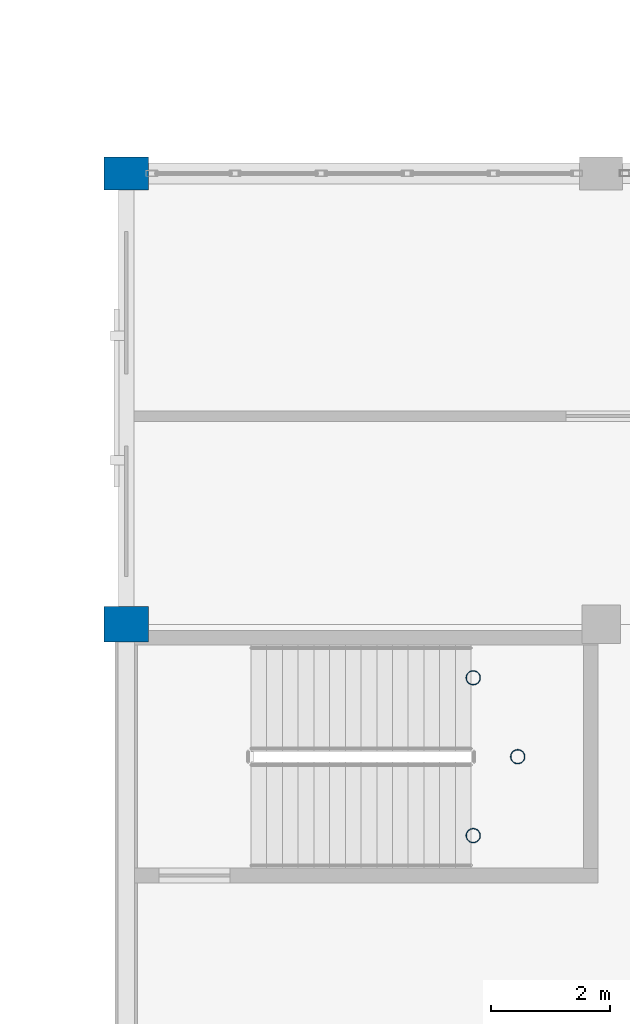
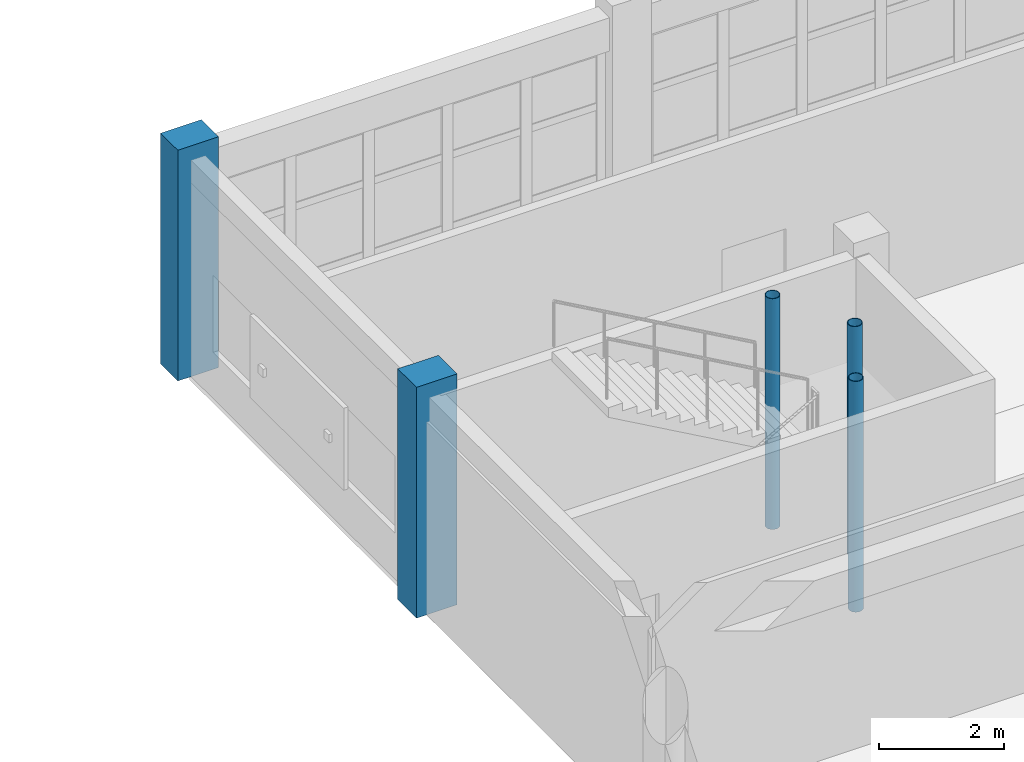
# One storey, part 13 of 160: 5 columns.
"""IFC4 building model written with IfcOpenShell, lengths in metres."""

from ifc_helpers import new_model, si_unit, direction, frame, origin, origin_2d, place, context, subcontext, project, spatial, rectangle, hollow_circle, extrude, material, material_profile, profile_set, type_object, element, save


model = new_model("IFC4")

# Units and contexts
model_context = context("Model", 3, precision=1e-05, world=origin(), true_north=direction((0.0, 1.0)))
body_context = subcontext(model_context, "Body", "Model", "MODEL_VIEW")
ifc_project = project(units=[si_unit("LENGTHUNIT", "METRE"), si_unit("AREAUNIT", "SQUARE_METRE"), si_unit("VOLUMEUNIT", "CUBIC_METRE"), si_unit("PLANEANGLEUNIT", "RADIAN"), si_unit("MASSUNIT", "GRAM", prefix="KILO")], contexts=[model_context])

# Site, building, storey
site_placement = place(None, origin())
site = spatial("IfcSite", under=ifc_project, at=site_placement, CompositionType="ELEMENT")
building_placement = place(site_placement, origin())
building = spatial("IfcBuilding", under=site, at=building_placement, Name="Kharva Crest Polytechnic", CompositionType="ELEMENT")
storey_placement = place(building_placement, frame((0.0, 0.0, 4.5)))
storey = spatial("IfcBuildingStorey", under=building, at=storey_placement, Name="L01", CompositionType="ELEMENT", Elevation=4.5)

# Columns
ifc_material_1 = material(Name="Concrete C40/50", Category="concrete")
ifc_material_profile_1 = material_profile(ifc_material_1, rectangle(XDim=0.75, YDim=0.550048828125, at=origin_2d()), Name="RECT 750 X 550")
ifc_profile_set_1 = profile_set([ifc_material_profile_1], Name="Concrete C40/50")
column_type_1 = type_object("IfcColumnType", Name="COL-EXT-750X550", PredefinedType="COLUMN", material=ifc_profile_set_1)
column_1_placement = place(storey_placement, frame((120.800048828125, 38.0, 0.0), z_axis=(0.0, 0.0, 1.0), x_axis=(1.0, 0.0, 0.0)))
element("IfcColumn", 1, at=column_1_placement, inside=storey, type_object=column_type_1, Name="L01 Column 16J/F", PredefinedType="COLUMN", context=body_context, shape_type="SweptSolid", body=[
    extrude(rectangle(XDim=0.75, YDim=0.550048828125, at=origin_2d()), origin(), (0.0, 0.0, 1.0), 4.5),
])
ifc_material_profile_2 = material_profile(ifc_material_1, rectangle(XDim=0.75, YDim=0.60009765625, at=origin_2d()), Name="RECT 750 X 600")
ifc_profile_set_2 = profile_set([ifc_material_profile_2], Name="Concrete C40/50")
column_type_2 = type_object("IfcColumnType", Name="COL-EXT-750X600", PredefinedType="COLUMN", material=ifc_profile_set_2)
column_2_placement = place(storey_placement, frame((120.800048828125, 30.39990234375, 0.0), z_axis=(0.0, 0.0, 1.0), x_axis=(1.0, 0.0, 0.0)))
element("IfcColumn", 2, at=column_2_placement, inside=storey, type_object=column_type_2, Name="L01 Column 16J/E", PredefinedType="COLUMN", context=body_context, shape_type="SweptSolid", body=[
    extrude(rectangle(XDim=0.75, YDim=0.60009765625, at=origin_2d()), origin(), (0.0, 0.0, 1.0), 4.5),
])
ifc_material_2 = material(Name="Steel S355", Category="steel")
ifc_material_profile_3 = material_profile(ifc_material_2, hollow_circle(Radius=0.122314453125, WallThickness=0.010009765625, at=origin_2d()), Name="CHS 244.5X10.0")
ifc_profile_set_3 = profile_set([ifc_material_profile_3], Name="Steel S355")
column_type_3 = type_object("IfcColumnType", Name="COL-STL-CHS244", PredefinedType="COLUMN", material=ifc_profile_set_3)
for number, where, z_axis, x_axis, name in (
    (3, (126.64501953125, 26.840087890625, 0.0), (0.0, 0.0, 1.0), (1.0, 0.0, 0.0), "L01 Stair ST-07 Landing Support Column SW"),
    (4, (126.64501953125, 29.5, 0.0), (0.0, 0.0, 1.0), (1.0, 0.0, 0.0), "L01 Stair ST-07 Landing Support Column NW"),
    (5, (127.39501953125, 28.169921875, 0.0), (0.0, 0.0, 1.0), (1.0, 0.0, 0.0), "L01 Stair ST-07 Landing Support Column EM"),
):
    element("IfcColumn", number, at=place(storey_placement, frame(where, z_axis=z_axis, x_axis=x_axis)), inside=storey, type_object=column_type_3, Name=name, PredefinedType="COLUMN", context=body_context, shape_type="SweptSolid", body=[
        extrude(hollow_circle(Radius=0.122314453125, WallThickness=0.010009765625, at=origin_2d()), origin(), (0.0, 0.0, 1.0), 4.5),
    ])

save(model, "model.ifc")
